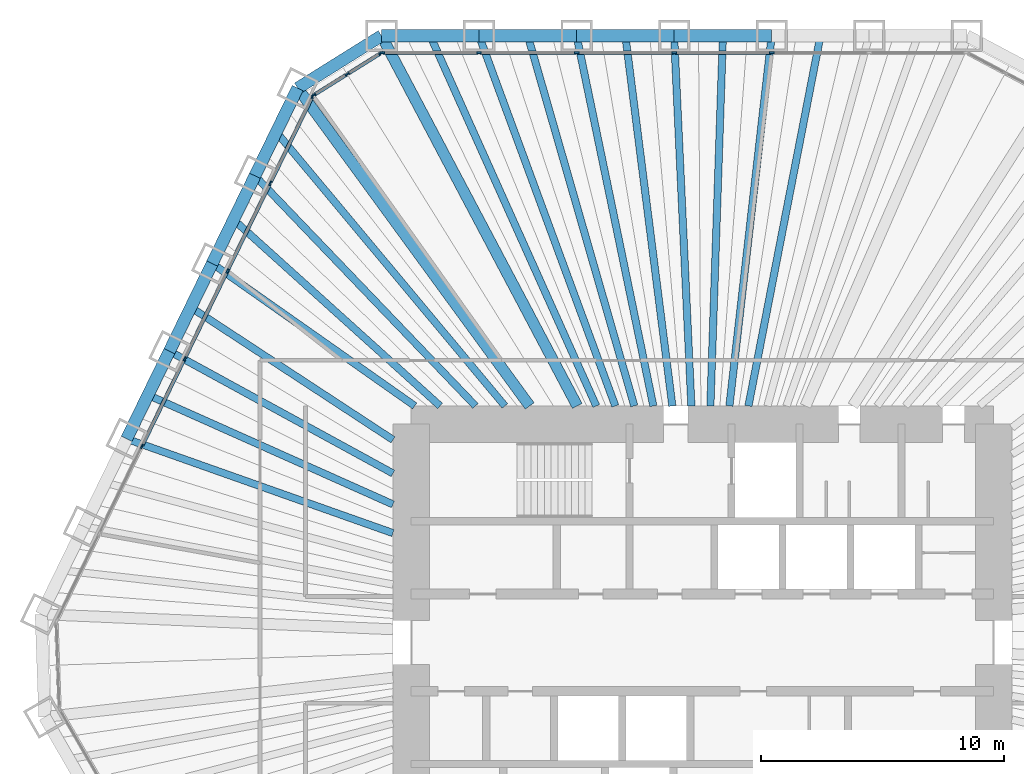
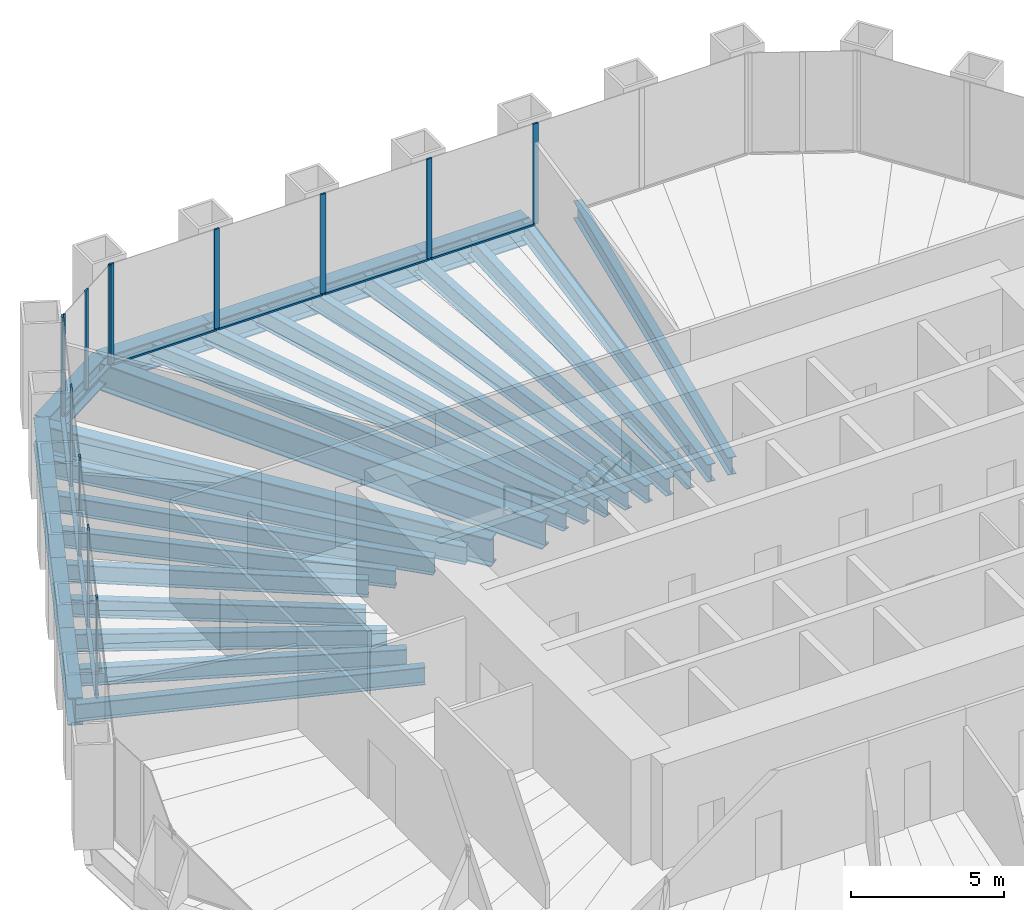
# One storey, part 6 of 13: 28 beams, 23 members, 3 elements without a shape of their own.
"""IFC4 building model written with IfcOpenShell, lengths in metres."""

from ifc_helpers import new_model, si_unit, direction, frame, origin, origin_2d, place, context, subcontext, project, spatial, rectangle, i_section, extrude, material, material_profile, profile_set, type_object, element, aggregate, save


model = new_model("IFC4")

# Units and contexts
model_context = context("Model", 3, precision=1e-05, world=origin(), true_north=direction((0.0, 1.0)))
body_context = subcontext(model_context, "Body", "Model", "MODEL_VIEW")
ifc_project = project(units=[si_unit("LENGTHUNIT", "METRE"), si_unit("AREAUNIT", "SQUARE_METRE"), si_unit("VOLUMEUNIT", "CUBIC_METRE"), si_unit("PLANEANGLEUNIT", "RADIAN"), si_unit("MASSUNIT", "GRAM", prefix="KILO")], contexts=[model_context])

# Site, building, storey
site_placement = place(None, origin())
site = spatial("IfcSite", under=ifc_project, at=site_placement, CompositionType="ELEMENT")
building_placement = place(site_placement, origin())
building = spatial("IfcBuilding", under=site, at=building_placement, Name="Qingtian Harvest Tower", CompositionType="ELEMENT")
storey_placement = place(building_placement, frame((0.0, 0.0, 128.199951171875)))
storey = spatial("IfcBuildingStorey", under=building, at=storey_placement, Name="L26", CompositionType="ELEMENT", Elevation=128.199951171875)

# Beams
ifc_material_1 = material(Name="Steel SM570MC", Category="steel")
ifc_material_profile_1 = material_profile(ifc_material_1, i_section(OverallWidth=0.449951171875, OverallDepth=1.10009765625, WebThickness=0.02197265625, FlangeThickness=0.044921875, at=origin_2d()), Name="H1100x450x22x45")
ifc_profile_set_1 = profile_set([ifc_material_profile_1], Name="Steel SM570MC")
beam_type_1 = type_object("IfcBeamType", Name="Corner floor beam FB8 H1100x450x22x45", PredefinedType="BEAM", material=ifc_profile_set_1)
beam_1_placement = place(storey_placement, frame((-13.2216796875, 25.0, -0.719970703125), z_axis=(0.46750989692, -0.88398783718, 0.0), x_axis=(0.88398783718, 0.46750989692, 0.0)))
element("IfcBeam", 1, at=beam_1_placement, inside=storey, type_object=beam_type_1, Name="Floor beam FB8 N0", PredefinedType="BEAM", context=body_context, shape_type="SweptSolid", body=[
    extrude(i_section(OverallWidth=0.449951171875, OverallDepth=1.10009765625, WebThickness=0.02197265625, FlangeThickness=0.044921875, at=origin_2d()), origin(), (0.0, 0.0, 1.0), 17.25146484375),
])
beam_2_placement = place(storey_placement, frame((-16.673828125, 22.8427734375, -0.719970703125), z_axis=(0.589577703364, -0.807711663712, 0.0), x_axis=(0.807711663712, 0.589577703364, 0.0)))
element("IfcBeam", 2, at=beam_2_placement, inside=storey, type_object=beam_type_1, Name="Floor beam FB8 NW6", PredefinedType="BEAM", context=body_context, shape_type="SweptSolid", body=[
    extrude(i_section(OverallWidth=0.449951171875, OverallDepth=1.10009765625, WebThickness=0.02197265625, FlangeThickness=0.044921875, at=origin_2d()), origin(), (0.0, 0.0, 1.0), 16.209716796875),
])
ifc_material_2 = material(Name="Steel SN490B", Category="steel")
ifc_material_profile_2 = material_profile(ifc_material_2, i_section(OverallWidth=0.300048828125, OverallDepth=0.699951171875, WebThickness=0.012939453125, FlangeThickness=0.02392578125, at=origin_2d()), Name="H700x300x13x24")
ifc_profile_set_2 = profile_set([ifc_material_profile_2], Name="Steel SN490B")
beam_type_2 = type_object("IfcBeamType", Name="Floor beam FB2 H700x300x13x24", PredefinedType="BEAM", material=ifc_profile_set_2)
beam_3_placement = place(storey_placement, frame((-9.20263671875, 25.0, -0.52001953125), z_axis=(0.345440084985, -0.938440806703, 0.0), x_axis=(0.938440806703, 0.345440084985, 0.0)))
element("IfcBeam", 3, at=beam_3_placement, inside=storey, type_object=beam_type_2, Name="Floor beam FB2 N1", PredefinedType="BEAM", context=body_context, shape_type="SweptSolid", body=[
    extrude(i_section(OverallWidth=0.300048828125, OverallDepth=0.699951171875, WebThickness=0.012939453125, FlangeThickness=0.02392578125, at=origin_2d()), origin(), (0.0, 0.0, 1.0), 16.250244140625),
])
beam_4_placement = place(storey_placement, frame((-5.18359375, 25.0, -0.52001953125), z_axis=(0.203032709566, -0.979171955709, 0.0), x_axis=(0.979171955709, 0.203032709566, 0.0)))
element("IfcBeam", 4, at=beam_4_placement, inside=storey, type_object=beam_type_2, Name="Floor beam FB2 N2", PredefinedType="BEAM", context=body_context, shape_type="SweptSolid", body=[
    extrude(i_section(OverallWidth=0.300048828125, OverallDepth=0.699951171875, WebThickness=0.012939453125, FlangeThickness=0.02392578125, at=origin_2d()), origin(), (0.0, 0.0, 1.0), 15.574462890625),
])
beam_5_placement = place(storey_placement, frame((-1.16455078125, 25.0, -0.52001953125), z_axis=(0.046536361684, -0.998916596639, 0.0), x_axis=(0.998916596639, 0.046536361684, 0.0)))
element("IfcBeam", 5, at=beam_5_placement, inside=storey, type_object=beam_type_2, Name="Floor beam FB2 N3", PredefinedType="BEAM", context=body_context, shape_type="SweptSolid", body=[
    extrude(i_section(OverallWidth=0.300048828125, OverallDepth=0.699951171875, WebThickness=0.012939453125, FlangeThickness=0.02392578125, at=origin_2d()), origin(), (0.0, 0.0, 1.0), 15.2666015625),
])
beam_6_placement = place(storey_placement, frame((2.8544921875, 25.0, -0.52001953125), z_axis=(-0.113440722222, -0.993544766249, 0.0), x_axis=(0.993544766249, -0.113440722222, 0.0)))
element("IfcBeam", 6, at=beam_6_placement, inside=storey, type_object=beam_type_2, Name="Floor beam FB2 N4", PredefinedType="BEAM", context=body_context, shape_type="SweptSolid", body=[
    extrude(i_section(OverallWidth=0.300048828125, OverallDepth=0.699951171875, WebThickness=0.012939453125, FlangeThickness=0.02392578125, at=origin_2d()), origin(), (0.0, 0.0, 1.0), 15.34912109375),
])
beam_7_placement = place(storey_placement, frame((-23.72119140625, 8.3935546875, -0.52001953125), z_axis=(0.942723186419, -0.333576068967, 0.0), x_axis=(0.333576068967, 0.942723186419, 0.0)))
element("IfcBeam", 7, at=beam_7_placement, inside=storey, type_object=beam_type_2, Name="Floor beam FB2 NW2", PredefinedType="BEAM", context=body_context, shape_type="SweptSolid", body=[
    extrude(i_section(OverallWidth=0.300048828125, OverallDepth=0.699951171875, WebThickness=0.012939453125, FlangeThickness=0.02392578125, at=origin_2d()), origin(), (0.0, 0.0, 1.0), 11.6376953125),
])
beam_8_placement = place(storey_placement, frame((-21.95947265625, 12.005859375, -0.52001953125), z_axis=(0.877432026785, -0.479700988505, 0.0), x_axis=(0.479700988505, 0.877432026785, 0.0)))
element("IfcBeam", 8, at=beam_8_placement, inside=storey, type_object=beam_type_2, Name="Floor beam FB2 NW3", PredefinedType="BEAM", context=body_context, shape_type="SweptSolid", body=[
    extrude(i_section(OverallWidth=0.300048828125, OverallDepth=0.699951171875, WebThickness=0.012939453125, FlangeThickness=0.02392578125, at=origin_2d()), origin(), (0.0, 0.0, 1.0), 10.495849609375),
])
beam_9_placement = place(storey_placement, frame((-20.197509765625, 15.6181640625, -0.52001953125), z_axis=(0.818080343043, -0.57510394915, 0.0), x_axis=(0.57510394915, 0.818080343043, 0.0)))
element("IfcBeam", 9, at=beam_9_placement, inside=storey, type_object=beam_type_2, Name="Floor beam FB2 NW4", PredefinedType="BEAM", context=body_context, shape_type="SweptSolid", body=[
    extrude(i_section(OverallWidth=0.300048828125, OverallDepth=0.699951171875, WebThickness=0.012939453125, FlangeThickness=0.02392578125, at=origin_2d()), origin(), (0.0, 0.0, 1.0), 10.20361328125),
])
beam_10_placement = place(storey_placement, frame((-18.435791015625, 19.23046875, -0.52001953125), z_axis=(0.69204101057, -0.721858185303, 0.0), x_axis=(0.721858185303, 0.69204101057, 0.0)))
element("IfcBeam", 10, at=beam_10_placement, inside=storey, type_object=beam_type_2, Name="Floor beam FB2 NW5", PredefinedType="BEAM", context=body_context, shape_type="SweptSolid", body=[
    extrude(i_section(OverallWidth=0.300048828125, OverallDepth=0.699951171875, WebThickness=0.012939453125, FlangeThickness=0.02392578125, at=origin_2d()), origin(), (0.0, 0.0, 1.0), 13.13330078125),
])
ifc_material_3 = material(Name="Steel SN490B", Category="steel")
ifc_material_profile_3 = material_profile(ifc_material_3, i_section(OverallWidth=0.300048828125, OverallDepth=0.699951171875, WebThickness=0.012939453125, FlangeThickness=0.02392578125, at=origin_2d()), Name="H700x300x13x24")
ifc_profile_set_3 = profile_set([ifc_material_profile_3], Name="Steel SN490B")
beam_type_3 = type_object("IfcBeamType", Name="Floor joist J2 H700x300x13x24", PredefinedType="JOIST", material=ifc_profile_set_3)
beam_11_placement = place(storey_placement, frame((-11.212158203125, 25.0, -0.52001953125), z_axis=(0.409212761683, -0.912438992852, 0.0), x_axis=(0.912438992852, 0.409212761683, 0.0)))
element("IfcBeam", 11, at=beam_11_placement, inside=storey, type_object=beam_type_3, Name="Floor joist J2 N0", PredefinedType="JOIST", context=body_context, shape_type="SweptSolid", body=[
    extrude(i_section(OverallWidth=0.300048828125, OverallDepth=0.699951171875, WebThickness=0.012939453125, FlangeThickness=0.02392578125, at=origin_2d()), origin(), (0.0, 0.0, 1.0), 16.71337890625),
])
beam_12_placement = place(storey_placement, frame((-7.193115234375, 25.0, -0.52001953125), z_axis=(0.276500682027, -0.961013721462, 0.0), x_axis=(0.961013721462, 0.276500682027, 0.0)))
element("IfcBeam", 12, at=beam_12_placement, inside=storey, type_object=beam_type_3, Name="Floor joist J2 N1", PredefinedType="JOIST", context=body_context, shape_type="SweptSolid", body=[
    extrude(i_section(OverallWidth=0.300048828125, OverallDepth=0.699951171875, WebThickness=0.012939453125, FlangeThickness=0.02392578125, at=origin_2d()), origin(), (0.0, 0.0, 1.0), 15.86865234375),
])
beam_13_placement = place(storey_placement, frame((-3.174072265625, 25.0, -0.52001953125), z_axis=(0.125957899702, -0.992035587821, 0.0), x_axis=(0.992035587821, 0.125957899702, 0.0)))
element("IfcBeam", 13, at=beam_13_placement, inside=storey, type_object=beam_type_3, Name="Floor joist J2 N2", PredefinedType="JOIST", context=body_context, shape_type="SweptSolid", body=[
    extrude(i_section(OverallWidth=0.300048828125, OverallDepth=0.699951171875, WebThickness=0.012939453125, FlangeThickness=0.02392578125, at=origin_2d()), origin(), (0.0, 0.0, 1.0), 15.372314453125),
])
beam_14_placement = place(storey_placement, frame((0.844970703125, 25.0, -0.52001953125), z_axis=(-0.033776183237, -0.999429421943, 0.0), x_axis=(0.999429421943, -0.033776183237, 0.0)))
element("IfcBeam", 14, at=beam_14_placement, inside=storey, type_object=beam_type_3, Name="Floor joist J2 N3", PredefinedType="JOIST", context=body_context, shape_type="SweptSolid", body=[
    extrude(i_section(OverallWidth=0.300048828125, OverallDepth=0.699951171875, WebThickness=0.012939453125, FlangeThickness=0.02392578125, at=origin_2d()), origin(), (0.0, 0.0, 1.0), 15.2587890625),
])
beam_15_placement = place(storey_placement, frame((4.864013671875, 25.0, -0.52001953125), z_axis=(-0.190979017217, -0.981594119269, 0.0), x_axis=(0.981594119269, -0.190979017217, 0.0)))
element("IfcBeam", 15, at=beam_15_placement, inside=storey, type_object=beam_type_3, Name="Floor joist J2 N4", PredefinedType="JOIST", context=body_context, shape_type="SweptSolid", body=[
    extrude(i_section(OverallWidth=0.300048828125, OverallDepth=0.699951171875, WebThickness=0.012939453125, FlangeThickness=0.02392578125, at=origin_2d()), origin(), (0.0, 0.0, 1.0), 15.535888671875),
])
beam_16_placement = place(storey_placement, frame((-22.84033203125, 10.19970703125, -0.52001953125), z_axis=(0.913095877166, -0.407744919162, 0.0), x_axis=(0.407744919162, 0.913095877166, 0.0)))
element("IfcBeam", 16, at=beam_16_placement, inside=storey, type_object=beam_type_3, Name="Floor joist J2 NW2", PredefinedType="JOIST", context=body_context, shape_type="SweptSolid", body=[
    extrude(i_section(OverallWidth=0.300048828125, OverallDepth=0.699951171875, WebThickness=0.012939453125, FlangeThickness=0.02392578125, at=origin_2d()), origin(), (0.0, 0.0, 1.0), 11.05078125),
])
beam_17_placement = place(storey_placement, frame((-21.078369140625, 13.81201171875, -0.52001953125), z_axis=(0.836426246046, -0.548079496903, 0.0), x_axis=(0.548079496903, 0.836426246046, 0.0)))
element("IfcBeam", 17, at=beam_17_placement, inside=storey, type_object=beam_type_3, Name="Floor joist J2 NW3", PredefinedType="JOIST", context=body_context, shape_type="SweptSolid", body=[
    extrude(i_section(OverallWidth=0.300048828125, OverallDepth=0.699951171875, WebThickness=0.012939453125, FlangeThickness=0.02392578125, at=origin_2d()), origin(), (0.0, 0.0, 1.0), 9.95703125),
])
beam_18_placement = place(storey_placement, frame((-19.316650390625, 17.42431640625, -0.52001953125), z_axis=(0.742543540775, -0.669797797886, 0.0), x_axis=(0.669797797886, 0.742543540775, 0.0)))
element("IfcBeam", 18, at=beam_18_placement, inside=storey, type_object=beam_type_3, Name="Floor joist J2 NW4", PredefinedType="JOIST", context=body_context, shape_type="SweptSolid", body=[
    extrude(i_section(OverallWidth=0.300048828125, OverallDepth=0.699951171875, WebThickness=0.012939453125, FlangeThickness=0.02392578125, at=origin_2d()), origin(), (0.0, 0.0, 1.0), 11.457763671875),
])
beam_19_placement = place(storey_placement, frame((-17.5546875, 21.03662109375, -0.52001953125), z_axis=(0.640703730007, -0.767788206704, 0.0), x_axis=(0.767788206704, 0.640703730007, 0.0)))
element("IfcBeam", 19, at=beam_19_placement, inside=storey, type_object=beam_type_3, Name="Floor joist J2 NW5", PredefinedType="JOIST", context=body_context, shape_type="SweptSolid", body=[
    extrude(i_section(OverallWidth=0.300048828125, OverallDepth=0.699951171875, WebThickness=0.012939453125, FlangeThickness=0.02392578125, at=origin_2d()), origin(), (0.0, 0.0, 1.0), 14.7001953125),
])

# Curtain wall, members
ifc_material_4 = material(Name="Bronze-anodised aluminium curtain wall", Category="aluminium")
curtain_wall_type = type_object("IfcCurtainWallType", Name="Curtain wall CW4 office", PredefinedType="USERDEFINED", material=ifc_material_4)
curtain_wall_1_placement = place(storey_placement, origin())
curtain_wall_1 = element("IfcCurtainWall", 20, at=curtain_wall_1_placement, inside=storey, type_object=curtain_wall_type, Name="Curtain wall CW4 L26 N0-5", ObjectType="RECESSED CURTAIN WALL", PredefinedType="USERDEFINED")
ifc_material_5 = material(Name="Bronze-anodised aluminium mullion", Category="aluminium")
ifc_material_profile_4 = material_profile(ifc_material_5, rectangle(XDim=0.06494140625, YDim=0.199951171875, at=origin_2d()), Name="AL 65x200")
ifc_profile_set_4 = profile_set([ifc_material_profile_4], Name="Bronze-anodised aluminium mullion")
member_type_1 = type_object("IfcMemberType", Name="Mullion CWM 65x200", PredefinedType="MULLION", material=ifc_profile_set_4)
member_1_placement = place(storey_placement, frame((-13.189208984375, 24.300048828125, 0.0), z_axis=(0.0, 0.0, 1.0), x_axis=(0.0, 1.0, 0.0)))
member_1 = element("IfcMember", 21, at=member_1_placement, type_object=member_type_1, Name="CW4 mullion 1", PredefinedType="MULLION", context=body_context, shape_type="SweptSolid", body=[
    extrude(rectangle(XDim=0.06494140625, YDim=0.199951171875, at=origin_2d()), origin(), (0.0, 0.0, 1.0), 4.030029296875),
])
member_2_placement = place(storey_placement, frame((-9.20263671875, 24.300048828125, 0.0), z_axis=(0.0, 0.0, 1.0), x_axis=(0.0, 1.0, 0.0)))
member_2 = element("IfcMember", 22, at=member_2_placement, type_object=member_type_1, Name="CW4 mullion 2", PredefinedType="MULLION", context=body_context, shape_type="SweptSolid", body=[
    extrude(rectangle(XDim=0.06494140625, YDim=0.199951171875, at=origin_2d()), origin(), (0.0, 0.0, 1.0), 4.030029296875),
])
member_3_placement = place(storey_placement, frame((-5.18359375, 24.300048828125, 0.0), z_axis=(0.0, 0.0, 1.0), x_axis=(0.0, 1.0, 0.0)))
member_3 = element("IfcMember", 23, at=member_3_placement, type_object=member_type_1, Name="CW4 mullion 3", PredefinedType="MULLION", context=body_context, shape_type="SweptSolid", body=[
    extrude(rectangle(XDim=0.06494140625, YDim=0.199951171875, at=origin_2d()), origin(), (0.0, 0.0, 1.0), 4.030029296875),
])
member_4_placement = place(storey_placement, frame((-1.16455078125, 24.300048828125, 0.0), z_axis=(0.0, 0.0, 1.0), x_axis=(0.0, 1.0, 0.0)))
member_4 = element("IfcMember", 24, at=member_4_placement, type_object=member_type_1, Name="CW4 mullion 4", PredefinedType="MULLION", context=body_context, shape_type="SweptSolid", body=[
    extrude(rectangle(XDim=0.06494140625, YDim=0.199951171875, at=origin_2d()), origin(), (0.0, 0.0, 1.0), 4.030029296875),
])
member_5_placement = place(storey_placement, frame((2.8544921875, 24.300048828125, 0.0), z_axis=(0.0, 0.0, 1.0), x_axis=(0.0, 1.0, 0.0)))
member_5 = element("IfcMember", 25, at=member_5_placement, type_object=member_type_1, Name="CW4 mullion 5", PredefinedType="MULLION", context=body_context, shape_type="SweptSolid", body=[
    extrude(rectangle(XDim=0.06494140625, YDim=0.199951171875, at=origin_2d()), origin(), (0.0, 0.0, 1.0), 4.030029296875),
])

curtain_wall_2_placement = place(storey_placement, origin())
curtain_wall_2 = element("IfcCurtainWall", 26, at=curtain_wall_2_placement, inside=storey, type_object=curtain_wall_type, Name="Curtain wall CW4 L26 NW0-5", ObjectType="RECESSED CURTAIN WALL", PredefinedType="USERDEFINED")
member_6_placement = place(storey_placement, frame((-23.092041015625, 8.086669921875, 0.0), z_axis=(0.0, 0.0, 1.0), x_axis=(-0.898794046299, 0.438371146789, 0.0)))
member_6 = element("IfcMember", 27, at=member_6_placement, type_object=member_type_1, Name="CW4 mullion 3", PredefinedType="MULLION", context=body_context, shape_type="SweptSolid", body=[
    extrude(rectangle(XDim=0.06494140625, YDim=0.199951171875, at=origin_2d()), origin(), (0.0, 0.0, 1.0), 4.030029296875),
])
member_7_placement = place(storey_placement, frame((-21.330322265625, 11.698974609375, 0.0), z_axis=(0.0, 0.0, 1.0), x_axis=(-0.898794046299, 0.438371146789, 0.0)))
member_7 = element("IfcMember", 28, at=member_7_placement, type_object=member_type_1, Name="CW4 mullion 4", PredefinedType="MULLION", context=body_context, shape_type="SweptSolid", body=[
    extrude(rectangle(XDim=0.06494140625, YDim=0.199951171875, at=origin_2d()), origin(), (0.0, 0.0, 1.0), 4.030029296875),
])
member_8_placement = place(storey_placement, frame((-19.568359375, 15.311279296875, 0.0), z_axis=(0.0, 0.0, 1.0), x_axis=(-0.898794046299, 0.438371146789, 0.0)))
member_8 = element("IfcMember", 29, at=member_8_placement, type_object=member_type_1, Name="CW4 mullion 5", PredefinedType="MULLION", context=body_context, shape_type="SweptSolid", body=[
    extrude(rectangle(XDim=0.06494140625, YDim=0.199951171875, at=origin_2d()), origin(), (0.0, 0.0, 1.0), 4.030029296875),
])
member_9_placement = place(storey_placement, frame((-17.806396484375, 18.923828125, 0.0), z_axis=(0.0, 0.0, 1.0), x_axis=(-0.898794046299, 0.438371146789, 0.0)))
member_9 = element("IfcMember", 30, at=member_9_placement, type_object=member_type_1, Name="CW4 mullion 6", PredefinedType="MULLION", context=body_context, shape_type="SweptSolid", body=[
    extrude(rectangle(XDim=0.06494140625, YDim=0.199951171875, at=origin_2d()), origin(), (0.0, 0.0, 1.0), 4.030029296875),
])
member_10_placement = place(storey_placement, frame((-16.058837890625, 22.5068359375, 0.0), z_axis=(0.0, 0.0, 1.0), x_axis=(-0.898794046299, 0.438371146789, 0.0)))
member_10 = element("IfcMember", 31, at=member_10_placement, type_object=member_type_1, Name="CW4 mullion 7", PredefinedType="MULLION", context=body_context, shape_type="SweptSolid", body=[
    extrude(rectangle(XDim=0.06494140625, YDim=0.199951171875, at=origin_2d()), origin(), (0.0, 0.0, 1.0), 4.030029296875),
])

curtain_wall_3_placement = place(storey_placement, origin())
curtain_wall_3 = element("IfcCurtainWall", 32, at=curtain_wall_3_placement, inside=storey, type_object=curtain_wall_type, Name="Curtain wall CW4 L26 NWC", ObjectType="RECESSED CURTAIN WALL", PredefinedType="USERDEFINED")
member_11_placement = place(storey_placement, frame((-16.01708984375, 22.55322265625, 0.0), z_axis=(0.0, 0.0, 1.0), x_axis=(-0.529919264233, 0.848048096156, 0.0)))
member_11 = element("IfcMember", 33, at=member_11_placement, type_object=member_type_1, Name="CW4 mullion 1", PredefinedType="MULLION", context=body_context, shape_type="SweptSolid", body=[
    extrude(rectangle(XDim=0.06494140625, YDim=0.199951171875, at=origin_2d()), origin(), (0.0, 0.0, 1.0), 4.030029296875),
])
member_12_placement = place(storey_placement, frame((-14.63330078125, 23.41796875, 0.0), z_axis=(0.0, 0.0, 1.0), x_axis=(-0.529919264233, 0.848048096156, 0.0)))
member_12 = element("IfcMember", 34, at=member_12_placement, type_object=member_type_1, Name="CW4 mullion 2", PredefinedType="MULLION", context=body_context, shape_type="SweptSolid", body=[
    extrude(rectangle(XDim=0.06494140625, YDim=0.199951171875, at=origin_2d()), origin(), (0.0, 0.0, 1.0), 4.030029296875),
])
member_13_placement = place(storey_placement, frame((-13.249267578125, 24.28271484375, 0.0), z_axis=(0.0, 0.0, 1.0), x_axis=(-0.529919264233, 0.848048096156, 0.0)))
member_13 = element("IfcMember", 35, at=member_13_placement, type_object=member_type_1, Name="CW4 mullion 3", PredefinedType="MULLION", context=body_context, shape_type="SweptSolid", body=[
    extrude(rectangle(XDim=0.06494140625, YDim=0.199951171875, at=origin_2d()), origin(), (0.0, 0.0, 1.0), 4.030029296875),
])

# Beams
ifc_material_6 = material(Name="Steel SM570MC", Category="steel")
ifc_material_profile_5 = material_profile(ifc_material_6, i_section(OverallWidth=0.5, OverallDepth=1.10009765625, WebThickness=0.02490234375, FlangeThickness=0.050048828125, at=origin_2d()), Name="H1100x500x25x50")
ifc_profile_set_5 = profile_set([ifc_material_profile_5], Name="Steel SM570MC")
beam_type_4 = type_object("IfcBeamType", Name="Spandrel beam SB2 H1100x500x25x50", PredefinedType="SPANDREL", material=ifc_profile_set_5)
for number, where, z_axis, x_axis, name in (
    (36, (-13.2216796875, 25.0, -0.550048828125), (1.0, 0.0, 0.0), (0.0, 1.0, 0.0), "Spandrel SB2 N0"),
    (37, (-9.20263671875, 25.0, -0.550048828125), (1.0, 0.0, 0.0), (0.0, 1.0, 0.0), "Spandrel SB2 N1"),
    (38, (-5.18359375, 25.0, -0.550048828125), (1.0, 0.0, 0.0), (0.0, 1.0, 0.0), "Spandrel SB2 N2"),
    (39, (-1.16455078125, 25.0, -0.550048828125), (1.0, 0.0, 0.0), (0.0, 1.0, 0.0), "Spandrel SB2 N3"),
    (40, (-23.72119140625, 8.3935546875, -0.550048828125), (0.438347033158, 0.898805806902, 0.0), (-0.898805806902, 0.438347033158, 0.0), "Spandrel SB2 NW2"),
    (41, (-21.95947265625, 12.005859375, -0.550048828125), (0.438396105405, 0.89878187274, 0.0), (-0.89878187274, 0.438396105405, 0.0), "Spandrel SB2 NW3"),
    (42, (-20.197509765625, 15.6181640625, -0.550048828125), (0.438347033158, 0.898805806902, 0.0), (-0.898805806902, 0.438347033158, 0.0), "Spandrel SB2 NW4"),
    (43, (-18.435791015625, 19.23046875, -0.550048828125), (0.438396105405, 0.89878187274, 0.0), (-0.89878187274, 0.438396105405, 0.0), "Spandrel SB2 NW5"),
):
    element("IfcBeam", number, at=place(storey_placement, frame(where, z_axis=z_axis, x_axis=x_axis)), inside=storey, type_object=beam_type_4, Name=name, PredefinedType="SPANDREL", context=body_context, shape_type="SweptSolid", body=[
        extrude(i_section(OverallWidth=0.5, OverallDepth=1.10009765625, WebThickness=0.02490234375, FlangeThickness=0.050048828125, at=origin_2d()), origin(), (0.0, 0.0, 1.0), 4.01904296875),
    ])
beam_20_placement = place(storey_placement, frame((-16.673828125, 22.8427734375, -0.550048828125), z_axis=(0.848038733752, 0.529934246919, 0.0), x_axis=(-0.529934246919, 0.848038733752, 0.0)))
element("IfcBeam", 44, at=beam_20_placement, inside=storey, type_object=beam_type_4, Name="Spandrel SB2 NWC", PredefinedType="SPANDREL", context=body_context, shape_type="SweptSolid", body=[
    extrude(i_section(OverallWidth=0.5, OverallDepth=1.10009765625, WebThickness=0.02490234375, FlangeThickness=0.050048828125, at=origin_2d()), origin(), (0.0, 0.0, 1.0), 4.07080078125),
])

# Member
ifc_material_7 = material(Name="Bronze-anodised aluminium transom", Category="aluminium")
ifc_material_profile_6 = material_profile(ifc_material_7, rectangle(XDim=0.14990234375, YDim=0.06494140625, at=origin_2d()), Name="AL 65x150")
ifc_profile_set_6 = profile_set([ifc_material_profile_6], Name="Bronze-anodised aluminium transom")
member_type_2 = type_object("IfcMemberType", Name="Transom CWT 65x150", PredefinedType="USERDEFINED", material=ifc_profile_set_6)
member_14_placement = place(storey_placement, frame((-13.15673828125, 24.300048828125, 0.032470703125), z_axis=(1.0, 0.0, 0.0), x_axis=(0.0, 1.0, 0.0)))
member_14 = element("IfcMember", 45, at=member_14_placement, type_object=member_type_2, Name="CW4 transom 1.1", ObjectType="TRANSOM", PredefinedType="USERDEFINED", context=body_context, shape_type="SweptSolid", body=[
    extrude(rectangle(XDim=0.14990234375, YDim=0.06494140625, at=origin_2d()), origin(), (0.0, 0.0, 1.0), 3.921630859375),
])

member_15_placement = place(storey_placement, frame((-9.170166015625, 24.300048828125, 0.032470703125), z_axis=(1.0, 0.0, 0.0), x_axis=(0.0, 1.0, 0.0)))
member_15 = element("IfcMember", 46, at=member_15_placement, type_object=member_type_2, Name="CW4 transom 2.1", ObjectType="TRANSOM", PredefinedType="USERDEFINED", context=body_context, shape_type="SweptSolid", body=[
    extrude(rectangle(XDim=0.14990234375, YDim=0.06494140625, at=origin_2d()), origin(), (0.0, 0.0, 1.0), 3.9541015625),
])

member_16_placement = place(storey_placement, frame((-5.151123046875, 24.300048828125, 0.032470703125), z_axis=(1.0, 0.0, 0.0), x_axis=(0.0, 1.0, 0.0)))
member_16 = element("IfcMember", 47, at=member_16_placement, type_object=member_type_2, Name="CW4 transom 3.1", ObjectType="TRANSOM", PredefinedType="USERDEFINED", context=body_context, shape_type="SweptSolid", body=[
    extrude(rectangle(XDim=0.14990234375, YDim=0.06494140625, at=origin_2d()), origin(), (0.0, 0.0, 1.0), 3.9541015625),
])

member_17_placement = place(storey_placement, frame((-1.132080078125, 24.300048828125, 0.032470703125), z_axis=(1.0, 0.0, 0.0), x_axis=(0.0, 1.0, 0.0)))
member_17 = element("IfcMember", 48, at=member_17_placement, type_object=member_type_2, Name="CW4 transom 4.1", ObjectType="TRANSOM", PredefinedType="USERDEFINED", context=body_context, shape_type="SweptSolid", body=[
    extrude(rectangle(XDim=0.14990234375, YDim=0.06494140625, at=origin_2d()), origin(), (0.0, 0.0, 1.0), 3.9541015625),
])

aggregate(curtain_wall_1, [member_1, member_2, member_3, member_4, member_5, member_14, member_15, member_16, member_17])

member_18_placement = place(storey_placement, frame((-23.077880859375, 8.115966796875, 0.032470703125), z_axis=(0.438374972828, 0.898792180205, 0.0), x_axis=(-0.898792180205, 0.438374972828, 0.0)))
member_18 = element("IfcMember", 49, at=member_18_placement, type_object=member_type_2, Name="CW4 transom 3.1", ObjectType="TRANSOM", PredefinedType="USERDEFINED", context=body_context, shape_type="SweptSolid", body=[
    extrude(rectangle(XDim=0.14990234375, YDim=0.06494140625, at=origin_2d()), origin(), (0.0, 0.0, 1.0), 3.9541015625),
])

member_19_placement = place(storey_placement, frame((-21.31591796875, 11.728271484375, 0.032470703125), z_axis=(0.438374972828, 0.898792180205, 0.0), x_axis=(-0.898792180205, 0.438374972828, 0.0)))
member_19 = element("IfcMember", 50, at=member_19_placement, type_object=member_type_2, Name="CW4 transom 4.1", ObjectType="TRANSOM", PredefinedType="USERDEFINED", context=body_context, shape_type="SweptSolid", body=[
    extrude(rectangle(XDim=0.14990234375, YDim=0.06494140625, at=origin_2d()), origin(), (0.0, 0.0, 1.0), 3.9541015625),
])

member_20_placement = place(storey_placement, frame((-19.55419921875, 15.340576171875, 0.032470703125), z_axis=(0.438374972828, 0.898792180205, 0.0), x_axis=(-0.898792180205, 0.438374972828, 0.0)))
member_20 = element("IfcMember", 51, at=member_20_placement, type_object=member_type_2, Name="CW4 transom 5.1", ObjectType="TRANSOM", PredefinedType="USERDEFINED", context=body_context, shape_type="SweptSolid", body=[
    extrude(rectangle(XDim=0.14990234375, YDim=0.06494140625, at=origin_2d()), origin(), (0.0, 0.0, 1.0), 3.9541015625),
])

member_21_placement = place(storey_placement, frame((-17.792236328125, 18.952880859375, 0.032470703125), z_axis=(0.438351261745, 0.898803744611, 0.0), x_axis=(-0.898803744611, 0.438351261745, 0.0)))
member_21 = element("IfcMember", 52, at=member_21_placement, type_object=member_type_2, Name="CW4 transom 6.1", ObjectType="TRANSOM", PredefinedType="USERDEFINED", context=body_context, shape_type="SweptSolid", body=[
    extrude(rectangle(XDim=0.14990234375, YDim=0.06494140625, at=origin_2d()), origin(), (0.0, 0.0, 1.0), 3.92138671875),
])

aggregate(curtain_wall_2, [member_6, member_7, member_8, member_9, member_10, member_18, member_19, member_20, member_21])

member_22_placement = place(storey_placement, frame((-15.989501953125, 22.570556640625, 0.032470703125), z_axis=(0.848059570903, 0.529900900357, 0.0), x_axis=(-0.529900900357, 0.848059570903, 0.0)))
member_22 = element("IfcMember", 53, at=member_22_placement, type_object=member_type_2, Name="CW4 transom 1.1", ObjectType="TRANSOM", PredefinedType="USERDEFINED", context=body_context, shape_type="SweptSolid", body=[
    extrude(rectangle(XDim=0.14990234375, YDim=0.06494140625, at=origin_2d()), origin(), (0.0, 0.0, 1.0), 1.56689453125),
])

member_23_placement = place(storey_placement, frame((-14.605712890625, 23.435302734375, 0.032470703125), z_axis=(0.848059570903, 0.529900900357, 0.0), x_axis=(-0.529900900357, 0.848059570903, 0.0)))
member_23 = element("IfcMember", 54, at=member_23_placement, type_object=member_type_2, Name="CW4 transom 2.1", ObjectType="TRANSOM", PredefinedType="USERDEFINED", context=body_context, shape_type="SweptSolid", body=[
    extrude(rectangle(XDim=0.14990234375, YDim=0.06494140625, at=origin_2d()), origin(), (0.0, 0.0, 1.0), 1.56689453125),
])

aggregate(curtain_wall_3, [member_11, member_12, member_13, member_22, member_23])

save(model, "model.ifc")
